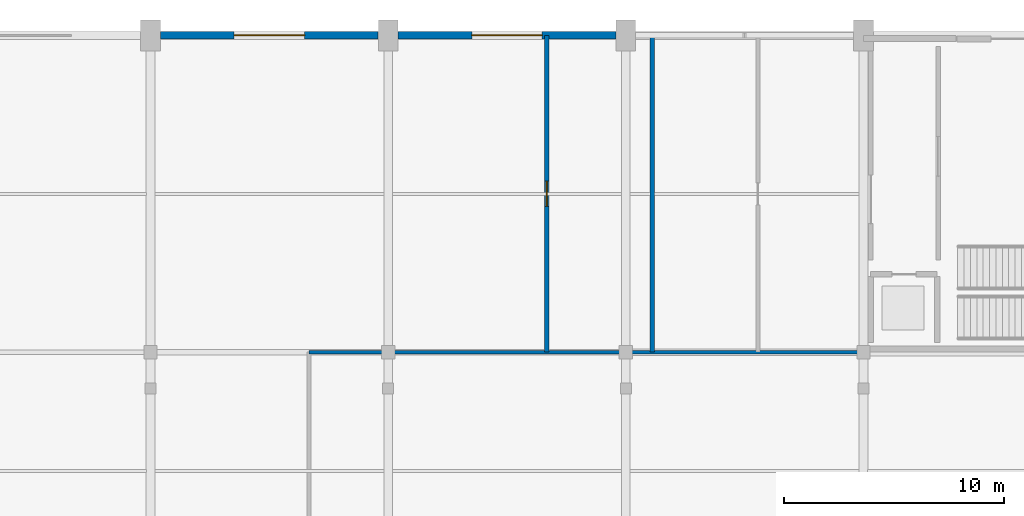
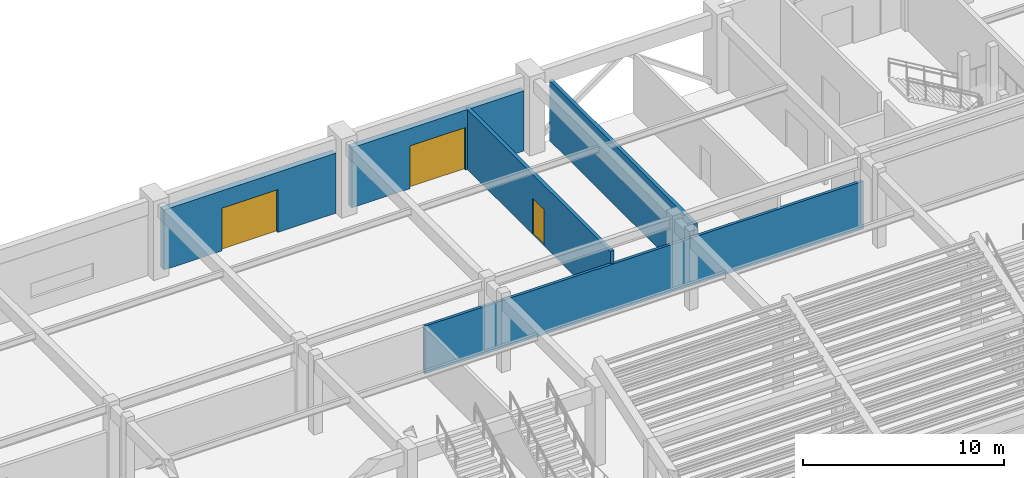
# One storey, part 56 of 82: 5 walls, 3 doors, 3 openings.
"""IFC4 building model written with IfcOpenShell, lengths in metres."""

from ifc_helpers import new_model, si_unit, direction, frame, frame_2d, origin, place, context, subcontext, project, spatial, rectangle, extrude, material, layer, layer_set, type_object, element, fill, save


model = new_model("IFC4")

# Units and contexts
model_context = context("Model", 3, precision=1e-05, world=origin(), true_north=direction((0.0, 1.0)))
body_context = subcontext(model_context, "Body", "Model", "MODEL_VIEW")
ifc_project = project(units=[si_unit("LENGTHUNIT", "METRE"), si_unit("AREAUNIT", "SQUARE_METRE"), si_unit("VOLUMEUNIT", "CUBIC_METRE"), si_unit("PLANEANGLEUNIT", "RADIAN"), si_unit("MASSUNIT", "GRAM", prefix="KILO")], contexts=[model_context])

# Site, building, storey
site_placement = place(None, origin())
site = spatial("IfcSite", under=ifc_project, at=site_placement, CompositionType="ELEMENT")
building_placement = place(site_placement, origin())
building = spatial("IfcBuilding", under=site, at=building_placement, Name="Suirenkawa Promenade Aquatics Centre", CompositionType="ELEMENT")
storey_placement = place(building_placement, origin())
storey = spatial("IfcBuildingStorey", under=building, at=storey_placement, Name="L00", CompositionType="ELEMENT", Elevation=0.0)

# Wall, opening, door
ifc_material_1 = material(Name="Autoclaved aerated concrete blockwork Grade 1", Category="masonry")
ifc_layer_1 = layer(ifc_material_1, 0.199951171875, Name="Autoclaved aerated concrete blockwork Grade 1", Category="masonry")
ifc_layer_set_1 = layer_set([ifc_layer_1], Name="Autoclaved aerated concrete blockwork Grade 1")
wall_type_1 = type_object("IfcWallType", Name="WT-COMP-200", PredefinedType="PARTITIONING", material=ifc_layer_set_1)
wall_1_placement = place(storey_placement, frame((118.800048828125, 108.0, 0.0), z_axis=(0.0, 0.0, 1.0), x_axis=(0.0, 1.0, 0.0)))
wall_1 = element("IfcWall", 1, at=wall_1_placement, inside=storey, type_object=wall_type_1, Name="Interior wall WL-PRT-01 W-7321", PredefinedType="PARTITIONING", context=body_context, shape_type="SweptSolid", body=[
    extrude(rectangle(XDim=14.39990234375, YDim=0.199951171875, at=frame_2d((7.199951171875, 0.0))), origin(), (0.0, 0.0, 1.0), 3.655029296875),
])
opening_1_placement = place(wall_1_placement, frame((6.625, 0.0, 0.0)))
opening_1 = element("IfcOpeningElement", 2, at=opening_1_placement, cuts=wall_1, Name="Opening ID-03", PredefinedType="OPENING", context=body_context, shape_type="SweptSolid", body=[
    extrude(rectangle(XDim=1.14990234375, YDim=2.199951171875, at=frame_2d((0.574951171875, 1.10009765625))), frame((0.0, 0.10986328125, 0.0), z_axis=(0.0, -1.0, 0.0), x_axis=(1.0, 0.0, 0.0)), (0.0, 0.0, 1.0), 0.219970703125),
])
ifc_material_2 = material(Name="Steel IS 2062 E350 (Grade 350)", Category="steel")
door_type_1 = type_object("IfcDoorType", Name="DT-FD120-1150x2200", OperationType="NOTDEFINED", PredefinedType="DOOR", material=ifc_material_2)
door_1_placement = place(opening_1_placement, origin())
door_1 = element("IfcDoor", 3, at=door_1_placement, inside=storey, type_object=door_type_1, Name="Interior door ID-03 DR-INT-0187", OperationType="SINGLE_SWING_RIGHT", OverallHeight=2.199951171875, OverallWidth=1.14990234375, PredefinedType="DOOR", context=body_context, shape_type="SweptSolid", body=[
    extrude(rectangle(XDim=1.14990234375, YDim=2.199951171875, at=frame_2d((0.574951171875, 1.10009765625))), frame((0.0, 0.02490234375, 0.0), z_axis=(0.0, -1.0, 0.0), x_axis=(1.0, 0.0, 0.0)), (0.0, 0.0, 1.0), 0.050048828125),
])
fill(opening_1, door_1)

# Wall
wall_2_placement = place(storey_placement, frame((123.60009765625, 108.0, 0.0), z_axis=(0.0, 0.0, 1.0), x_axis=(0.0, 1.0, 0.0)))
element("IfcWall", 4, at=wall_2_placement, inside=storey, type_object=wall_type_1, Name="Interior wall WL-PRT-01 W-7322", PredefinedType="PARTITIONING", context=body_context, shape_type="SweptSolid", body=[
    extrude(rectangle(XDim=14.39990234375, YDim=0.199951171875, at=frame_2d((7.199951171875, 0.0))), origin(), (0.0, 0.0, 1.0), 3.655029296875),
])

# Wall, opening, door
ifc_material_3 = material(Name="Concrete M40", Category="concrete")
ifc_layer_2 = layer(ifc_material_3, 0.340087890625, Name="Concrete M40", Category="concrete")
ifc_layer_set_2 = layer_set([ifc_layer_2], Name="Concrete M40")
wall_type_2 = type_object("IfcWallType", Name="WT-EXT-340", PredefinedType="SOLIDWALL", material=ifc_layer_set_2)
wall_3_placement = place(storey_placement, frame((101.2548828125, 122.39990234375, 0.0), z_axis=(0.0, 0.0, 1.0), x_axis=(1.0, 0.0, 0.0)))
wall_3 = element("IfcWall", 5, at=wall_3_placement, inside=storey, type_object=wall_type_2, Name="Exterior wall WL-EXT-01 W-5010", PredefinedType="SOLIDWALL", context=body_context, shape_type="SweptSolid", body=[
    extrude(rectangle(XDim=9.89013671875, YDim=0.340087890625, at=frame_2d((4.945068359375, 0.0))), origin(), (0.0, 0.0, 1.0), 3.655029296875),
])
opening_2_placement = place(wall_3_placement, frame((3.344970703125, 0.0, 0.0)))
opening_2 = element("IfcOpeningElement", 6, at=opening_2_placement, cuts=wall_3, Name="Opening ED-02", PredefinedType="OPENING", context=body_context, shape_type="SweptSolid", body=[
    extrude(rectangle(XDim=3.199951171875, YDim=2.60009765625, at=frame_2d((1.60009765625, 1.300048828125))), frame((0.0, 0.179931640625, 0.0), z_axis=(0.0, -1.0, 0.0), x_axis=(1.0, 0.0, 0.0)), (0.0, 0.0, 1.0), 0.360107421875),
])
ifc_material_4 = material(Name="Anodised aluminium 6063-T6", Category="aluminium")
door_type_2 = type_object("IfcDoorType", Name="DT-EXT-CONC-3200x2600", OperationType="DOUBLE_DOOR_SINGLE_SWING", PredefinedType="DOOR", material=ifc_material_4)
door_2_placement = place(opening_2_placement, origin())
door_2 = element("IfcDoor", 7, at=door_2_placement, inside=storey, type_object=door_type_2, Name="Exterior door ED-02 DR-EXT-008", OperationType="DOUBLE_DOOR_SINGLE_SWING", OverallHeight=2.60009765625, OverallWidth=3.199951171875, PredefinedType="DOOR", context=body_context, shape_type="SweptSolid", body=[
    extrude(rectangle(XDim=3.199951171875, YDim=2.60009765625, at=frame_2d((1.60009765625, 1.300048828125))), frame((0.0, 0.02490234375, 0.0), z_axis=(0.0, -1.0, 0.0), x_axis=(1.0, 0.0, 0.0)), (0.0, 0.0, 1.0), 0.050048828125),
])
fill(opening_2, door_2)

wall_4_placement = place(storey_placement, frame((112.054931640625, 122.39990234375, 0.0), z_axis=(0.0, 0.0, 1.0), x_axis=(1.0, 0.0, 0.0)))
wall_4 = element("IfcWall", 8, at=wall_4_placement, inside=storey, type_object=wall_type_2, Name="Exterior wall WL-EXT-01 W-5012", PredefinedType="SOLIDWALL", context=body_context, shape_type="SweptSolid", body=[
    extrude(rectangle(XDim=9.89013671875, YDim=0.340087890625, at=frame_2d((4.945068359375, 0.0))), origin(), (0.0, 0.0, 1.0), 3.655029296875),
])
opening_3_placement = place(wall_4_placement, frame((3.344970703125, 0.0, 0.0)))
opening_3 = element("IfcOpeningElement", 9, at=opening_3_placement, cuts=wall_4, Name="Opening ED-02", PredefinedType="OPENING", context=body_context, shape_type="SweptSolid", body=[
    extrude(rectangle(XDim=3.199951171875, YDim=2.60009765625, at=frame_2d((1.60009765625, 1.300048828125))), frame((0.0, 0.179931640625, 0.0), z_axis=(0.0, -1.0, 0.0), x_axis=(1.0, 0.0, 0.0)), (0.0, 0.0, 1.0), 0.360107421875),
])
door_3_placement = place(opening_3_placement, origin())
door_3 = element("IfcDoor", 10, at=door_3_placement, inside=storey, type_object=door_type_2, Name="Exterior door ED-02 DR-EXT-009", OperationType="DOUBLE_DOOR_SINGLE_SWING", OverallHeight=2.60009765625, OverallWidth=3.199951171875, PredefinedType="DOOR", context=body_context, shape_type="SweptSolid", body=[
    extrude(rectangle(XDim=3.199951171875, YDim=2.60009765625, at=frame_2d((1.60009765625, 1.300048828125))), frame((0.0, 0.02490234375, 0.0), z_axis=(0.0, -1.0, 0.0), x_axis=(1.0, 0.0, 0.0)), (0.0, 0.0, 1.0), 0.050048828125),
])
fill(opening_3, door_3)

# Wall
ifc_layer_3 = layer(ifc_material_1, 0.159912109375, Name="Autoclaved aerated concrete blockwork Grade 1", Category="masonry")
ifc_layer_set_3 = layer_set([ifc_layer_3], Name="Autoclaved aerated concrete blockwork Grade 1")
wall_type_3 = type_object("IfcWallType", Name="WT-WET-160", PredefinedType="PARTITIONING", material=ifc_layer_set_3)
wall_5_placement = place(storey_placement, frame((108.0, 108.0, 0.0), z_axis=(0.0, 0.0, 1.0), x_axis=(1.0, 0.0, 0.0)))
element("IfcWall", 11, at=wall_5_placement, inside=storey, type_object=wall_type_3, Name="Interior wall WL-PRT-03 W-7319", PredefinedType="PARTITIONING", context=body_context, shape_type="SweptSolid", body=[
    extrude(rectangle(XDim=25.199951171875, YDim=0.159912109375, at=frame_2d((12.60009765625, 0.0))), origin(), (0.0, 0.0, 1.0), 2.905029296875),
])

save(model, "model.ifc")
